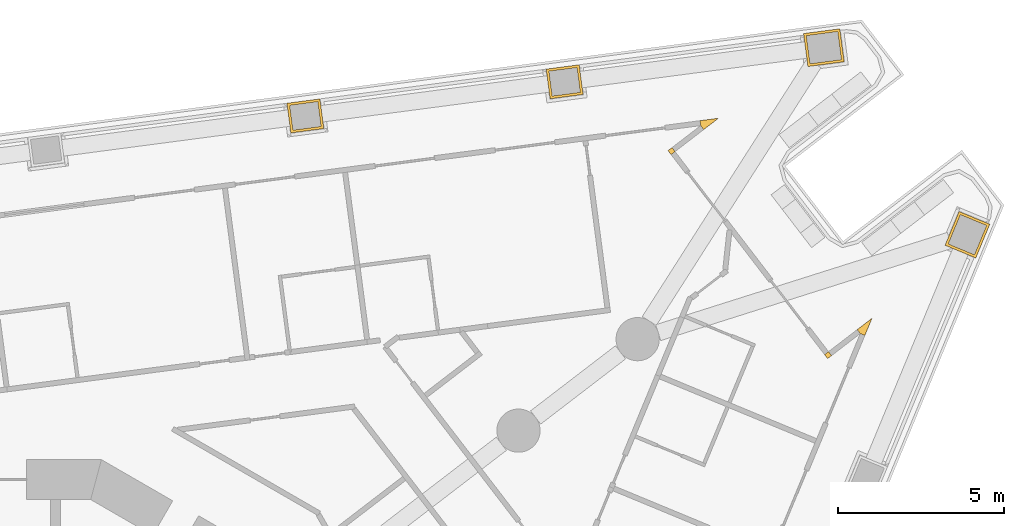
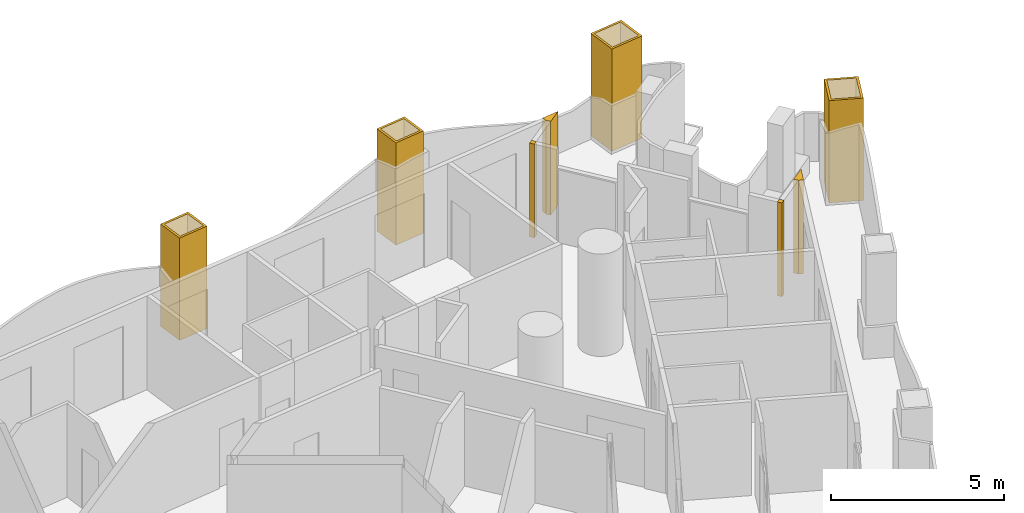
# One storey, part 18 of 19: 8 coverings.
"""IFC4 building model written with IfcOpenShell, lengths in metres."""

from ifc_helpers import new_model, si_unit, direction, frame, origin, place, context, subcontext, project, spatial, polyline, outline, extrude, material, layer, layer_set, type_object, element, save


model = new_model("IFC4")

# Units and contexts
model_context = context("Model", 3, precision=1e-05, world=origin(), true_north=direction((0.0, 1.0)))
body_context = subcontext(model_context, "Body", "Model", "MODEL_VIEW")
ifc_project = project(units=[si_unit("LENGTHUNIT", "METRE"), si_unit("AREAUNIT", "SQUARE_METRE"), si_unit("VOLUMEUNIT", "CUBIC_METRE"), si_unit("PLANEANGLEUNIT", "RADIAN"), si_unit("MASSUNIT", "GRAM", prefix="KILO")], contexts=[model_context])

# Site, building, storey
site_placement = place(None, origin())
site = spatial("IfcSite", under=ifc_project, at=site_placement, CompositionType="ELEMENT")
building_placement = place(site_placement, origin())
building = spatial("IfcBuilding", under=site, at=building_placement, Name="Trine Commons Tower", CompositionType="ELEMENT")
storey_placement = place(building_placement, frame((0.0, 0.0, 72.0)))
storey = spatial("IfcBuildingStorey", under=building, at=storey_placement, Name="L17", CompositionType="ELEMENT", Elevation=72.0)

# Coverings
ifc_material_1 = material(Name="Aluminium-framed insulated wall panel", Category="aluminium")
ifc_layer_1 = layer(ifc_material_1, 0.14990234375)
ifc_layer_set_1 = layer_set([ifc_layer_1], Name="Aluminium-framed insulated wall panel")
covering_type_1 = type_object("IfcCoveringType", Name="Glazing corner post, aluminium", PredefinedType="CLADDING", material=ifc_layer_set_1)
covering_1_placement = place(storey_placement, origin())
element("IfcCovering", 1, at=covering_1_placement, inside=storey, type_object=covering_type_1, Name="Glazing corner post 2-05", PredefinedType="CLADDING", context=body_context, shape_type="SweptSolid", body=[
    extrude(outline(polyline([(101.056396484375, 83.434326171875), (101.50048828125, 83.775146484375), (100.945556640625, 83.7021484375), (100.965087890625, 83.553466796875), (101.056396484375, 83.434326171875)])), origin(), (0.0, 0.0, 1.0), 3.300048828125),
])
covering_2_placement = place(storey_placement, origin())
element("IfcCovering", 2, at=covering_2_placement, inside=storey, type_object=covering_type_1, Name="Glazing corner post 2-06", PredefinedType="CLADDING", context=body_context, shape_type="SweptSolid", body=[
    extrude(outline(polyline([(100.076171875, 82.68212890625), (100.195068359375, 82.7734375), (100.103759765625, 82.892333984375), (99.98486328125, 82.801025390625), (100.076171875, 82.68212890625)])), origin(), (0.0, 0.0, 1.0), 3.300048828125),
])
covering_3_placement = place(storey_placement, origin())
element("IfcCovering", 3, at=covering_3_placement, inside=storey, type_object=covering_type_1, Name="Glazing corner post 2-07", PredefinedType="CLADDING", context=body_context, shape_type="SweptSolid", body=[
    extrude(outline(polyline([(104.6904296875, 76.66845703125), (104.78173828125, 76.549560546875), (104.90087890625, 76.640869140625), (104.8095703125, 76.759765625), (104.6904296875, 76.66845703125)])), origin(), (0.0, 0.0, 1.0), 3.300048828125),
])
covering_4_placement = place(storey_placement, origin())
element("IfcCovering", 4, at=covering_4_placement, inside=storey, type_object=covering_type_1, Name="Glazing corner post 2-08", PredefinedType="CLADDING", context=body_context, shape_type="SweptSolid", body=[
    extrude(outline(polyline([(105.90087890625, 77.244384765625), (106.114990234375, 77.761474609375), (105.6708984375, 77.4208984375), (105.76220703125, 77.3017578125), (105.90087890625, 77.244384765625)])), origin(), (0.0, 0.0, 1.0), 3.300048828125),
])
ifc_material_2 = material(Name="Limestone, honed", Category="masonry")
ifc_layer_2 = layer(ifc_material_2, 0.074951171875)
ifc_layer_set_2 = layer_set([ifc_layer_2], Name="Limestone, honed")
covering_type_2 = type_object("IfcCoveringType", Name="Limestone column cladding 75", PredefinedType="CLADDING", material=ifc_layer_set_2)
covering_5_placement = place(storey_placement, origin())
element("IfcCovering", 5, at=covering_5_placement, inside=storey, type_object=covering_type_2, Name="Limestone pier cladding 2-14", PredefinedType="CLADDING", context=body_context, shape_type="SweptSolid", body=[
    extrude(outline(polyline([(89.636962890625, 83.464111328125), (89.519287109375, 84.356201171875), (88.52783203125, 84.225830078125), (88.6455078125, 83.33349609375), (89.636962890625, 83.464111328125)]), holes=[polyline([(89.552734375, 83.528564453125), (89.454833984375, 84.272216796875), (88.612060546875, 84.1611328125), (88.7099609375, 83.41748046875), (89.552734375, 83.528564453125)])]), origin(), (0.0, 0.0, 1.0), 3.60009765625),
])
covering_6_placement = place(storey_placement, origin())
element("IfcCovering", 6, at=covering_6_placement, inside=storey, type_object=covering_type_2, Name="Limestone pier cladding 2-15", PredefinedType="CLADDING", context=body_context, shape_type="SweptSolid", body=[
    extrude(outline(polyline([(97.43017578125, 84.489990234375), (97.312744140625, 85.38232421875), (96.3212890625, 85.251708984375), (96.438720703125, 84.359619140625), (97.43017578125, 84.489990234375)]), holes=[polyline([(97.345947265625, 84.5546875), (97.248046875, 85.298095703125), (96.405517578125, 85.187255859375), (96.50341796875, 84.443603515625), (97.345947265625, 84.5546875)])]), origin(), (0.0, 0.0, 1.0), 3.60009765625),
])
covering_7_placement = place(storey_placement, origin())
element("IfcCovering", 7, at=covering_7_placement, inside=storey, type_object=covering_type_2, Name="Limestone pier cladding 2-16", PredefinedType="CLADDING", context=body_context, shape_type="SweptSolid", body=[
    extrude(outline(polyline([(105.279541015625, 85.472900390625), (105.14892578125, 86.46435546875), (104.058349609375, 86.32080078125), (104.18896484375, 85.329345703125), (105.279541015625, 85.472900390625)]), holes=[polyline([(105.1953125, 85.53759765625), (105.08447265625, 86.38037109375), (104.142578125, 86.25634765625), (104.25341796875, 85.41357421875), (105.1953125, 85.53759765625)])]), origin(), (0.0, 0.0, 1.0), 3.60009765625),
])
covering_8_placement = place(storey_placement, origin())
element("IfcCovering", 8, at=covering_8_placement, inside=storey, type_object=covering_type_2, Name="Limestone pier cladding 2-17", PredefinedType="CLADDING", context=body_context, shape_type="SweptSolid", body=[
    extrude(outline(polyline([(109.65673828125, 80.589599609375), (108.73291015625, 80.972412109375), (108.31201171875, 79.9560546875), (109.23583984375, 79.5732421875), (109.65673828125, 80.589599609375)]), holes=[polyline([(109.558837890625, 80.549072265625), (108.7734375, 80.874267578125), (108.409912109375, 79.99658203125), (109.1953125, 79.67138671875), (109.558837890625, 80.549072265625)])]), origin(), (0.0, 0.0, 1.0), 3.60009765625),
])

save(model, "model.ifc")
